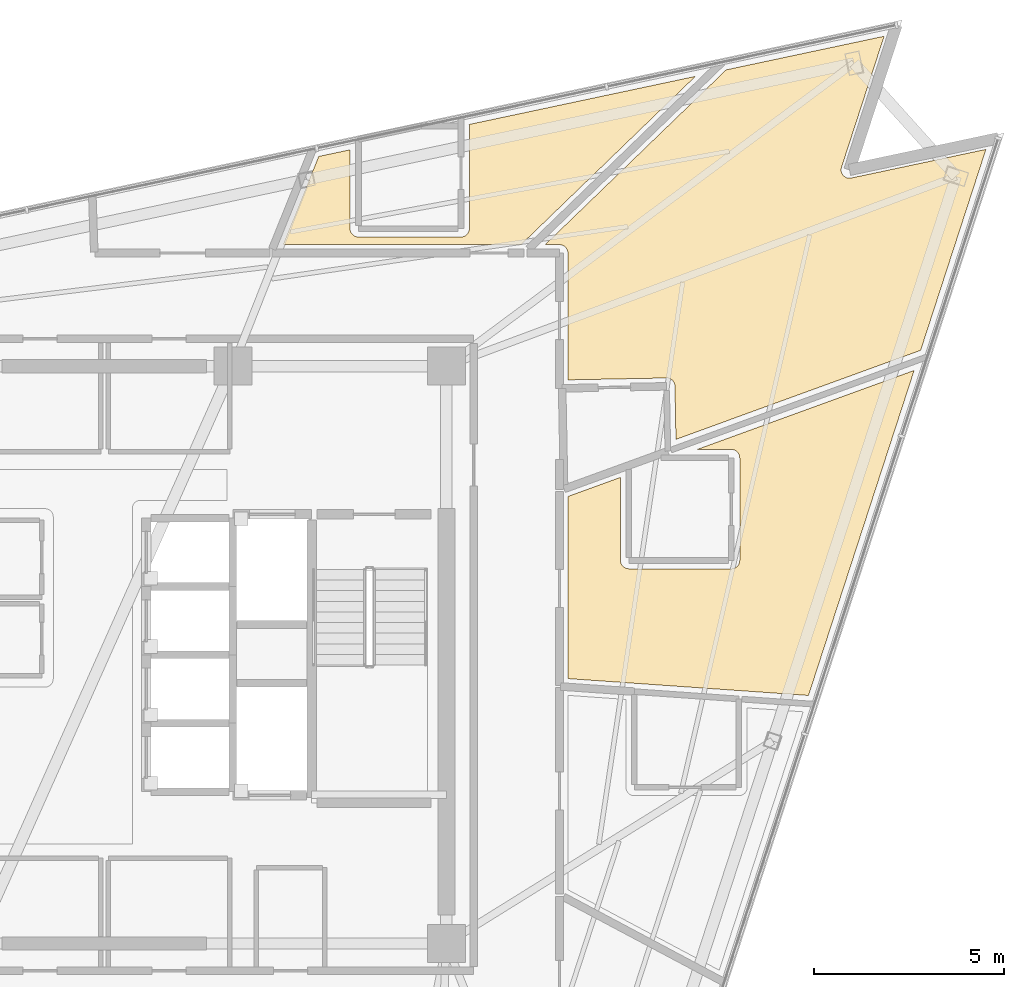
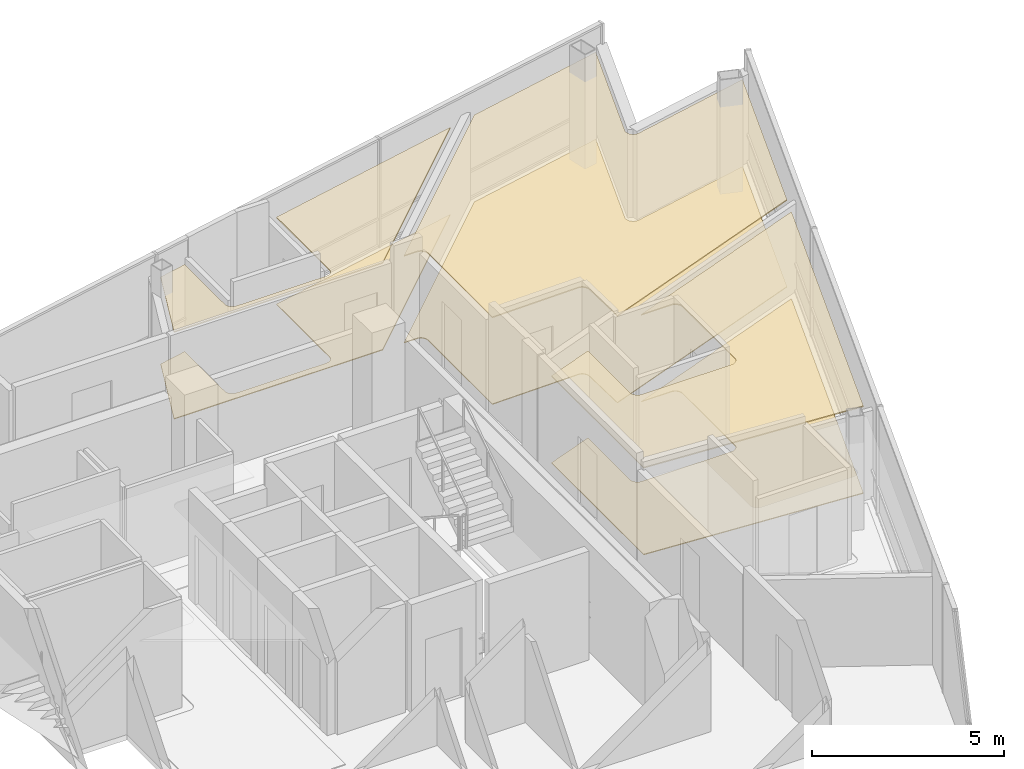
# One storey, part 17 of 17: 6 coverings.
"""IFC4 building model written with IfcOpenShell, lengths in metres."""

from ifc_helpers import new_model, si_unit, direction, frame, origin, place, context, subcontext, project, spatial, polyline, outline, extrude, material, layer, layer_set, type_object, element, save


model = new_model("IFC4")

# Units and contexts
model_context = context("Model", 3, precision=1e-05, world=origin(), true_north=direction((0.0, 1.0)))
body_context = subcontext(model_context, "Body", "Model", "MODEL_VIEW")
ifc_project = project(units=[si_unit("LENGTHUNIT", "METRE"), si_unit("AREAUNIT", "SQUARE_METRE"), si_unit("VOLUMEUNIT", "CUBIC_METRE"), si_unit("PLANEANGLEUNIT", "RADIAN"), si_unit("MASSUNIT", "GRAM", prefix="KILO")], contexts=[model_context])

# Site, building, storey
site_placement = place(None, origin())
site = spatial("IfcSite", under=ifc_project, at=site_placement, CompositionType="ELEMENT")
building_placement = place(site_placement, origin())
building = spatial("IfcBuilding", under=site, at=building_placement, Name="Tharavind Bronze Gate", CompositionType="ELEMENT")
storey_placement = place(building_placement, frame((0.0, 0.0, 294.35009765625)))
storey = spatial("IfcBuildingStorey", under=building, at=storey_placement, Name="L76", CompositionType="ELEMENT", Elevation=294.35009765625)

# Coverings
ifc_material_1 = material(Name="Engineered Oak & Carpet Tile", Category="wood")
ifc_layer_1 = layer(ifc_material_1, 0.02490234375)
ifc_layer_set_1 = layer_set([ifc_layer_1], Name="Engineered Oak & Carpet Tile")
covering_type_1 = type_object("IfcCoveringType", Name="ENGINEERED TIMBER FLOORING", PredefinedType="FLOORING", material=ifc_layer_set_1)
covering_1_placement = place(storey_placement, origin())
element("IfcCovering", 1, at=covering_1_placement, inside=storey, type_object=covering_type_1, Name="L76-RM-01 floor finish", PredefinedType="FLOORING", context=body_context, shape_type="SweptSolid", body=[
    extrude(outline(polyline([(11.87939453125, 10.800048828125), (11.89013671875, 10.7998046875), (11.890869140625, 10.7998046875), (11.912353515625, 10.797607421875), (11.933349609375, 10.79345703125), (11.9541015625, 10.787109375), (11.97412109375, 10.77880859375), (11.9931640625, 10.768798828125), (12.010986328125, 10.756591796875), (12.027587890625, 10.742919921875), (12.04296875, 10.727783203125), (12.056640625, 10.7109375), (12.068603515625, 10.693115234375), (12.078857421875, 10.674072265625), (12.087158203125, 10.654052734375), (12.093505859375, 10.63330078125), (12.09765625, 10.6123046875), (12.099609375, 10.5908203125), (12.099609375, 10.590087890625), (12.10009765625, 10.579345703125), (12.10009765625, 7.239990234375), (14.694091796875, 7.290283203125), (14.715576171875, 7.28955078125), (14.737060546875, 7.286865234375), (14.758056640625, 7.281982421875), (14.778564453125, 7.275146484375), (14.798095703125, 7.266357421875), (14.81689453125, 7.255615234375), (14.834716796875, 7.242919921875), (14.850830078125, 7.228759765625), (14.865478515625, 7.213134765625), (14.87890625, 7.196044921875), (14.890380859375, 7.177734375), (14.89990234375, 7.158447265625), (14.907470703125, 7.13818359375), (14.9130859375, 7.117431640625), (14.916748046875, 7.09619140625), (14.918212890625, 7.074462890625), (14.9453125, 5.673828125), (21.387939453125, 8.018798828125), (23.10693359375, 13.308837890625), (19.559814453125, 12.554931640625), (19.549072265625, 12.552978515625), (19.548583984375, 12.552734375), (19.526611328125, 12.55029296875), (19.5048828125, 12.55029296875), (19.48291015625, 12.55224609375), (19.46142578125, 12.556396484375), (19.4404296875, 12.5625), (19.420166015625, 12.57080078125), (19.400634765625, 12.581298828125), (19.382568359375, 12.593505859375), (19.365478515625, 12.607421875), (19.35009765625, 12.622802734375), (19.336181640625, 12.639892578125), (19.32421875, 12.658203125), (19.31396484375, 12.677490234375), (19.3056640625, 12.697998046875), (19.299560546875, 12.718994140625), (19.29541015625, 12.740478515625), (19.293701171875, 12.762451171875), (19.2939453125, 12.7841796875), (19.29638671875, 12.80615234375), (19.30126953125, 12.827392578125), (19.30126953125, 12.828125), (19.304443359375, 12.838623046875), (20.425048828125, 16.28759765625), (16.267822265625, 15.40380859375), (11.50048828125, 10.800048828125), (11.87939453125, 10.800048828125)])), origin(), (0.0, 0.0, 1.0), 0.02490234375),
])
covering_2_placement = place(storey_placement, origin())
element("IfcCovering", 2, at=covering_2_placement, inside=storey, type_object=covering_type_1, Name="L76-RM-02 floor finish", PredefinedType="FLOORING", context=body_context, shape_type="SweptSolid", body=[
    extrude(outline(polyline([(10.866943359375, 10.800048828125), (15.455810546875, 15.231201171875), (9.5009765625, 13.965576171875), (9.504150390625, 13.944580078125), (9.505126953125, 13.923095703125), (9.505126953125, 11.222900390625), (9.504150390625, 11.201416015625), (9.5009765625, 11.179931640625), (9.49560546875, 11.1591796875), (9.48828125, 11.138916015625), (9.479248046875, 11.119140625), (9.468017578125, 11.1005859375), (9.455078125, 11.08349609375), (9.440673828125, 11.0673828125), (9.4248046875, 11.052978515625), (9.407470703125, 11.0400390625), (9.388916015625, 11.02880859375), (9.369384765625, 11.019775390625), (9.34912109375, 11.012451171875), (9.328125, 11.007080078125), (9.306640625, 11.00390625), (9.28515625, 11.0029296875), (6.585205078125, 11.0029296875), (6.563720703125, 11.00390625), (6.542236328125, 11.007080078125), (6.521240234375, 11.012451171875), (6.5009765625, 11.019775390625), (6.4814453125, 11.02880859375), (6.462890625, 11.0400390625), (6.445556640625, 11.052978515625), (6.4296875, 11.0673828125), (6.4150390625, 11.08349609375), (6.402099609375, 11.1005859375), (6.39111328125, 11.119140625), (6.3818359375, 11.138916015625), (6.37451171875, 11.1591796875), (6.369384765625, 11.179931640625), (6.3662109375, 11.201416015625), (6.365234375, 11.222900390625), (6.365234375, 13.298828125), (5.53955078125, 13.123291015625), (4.600830078125, 10.800048828125), (10.866943359375, 10.800048828125)])), origin(), (0.0, 0.0, 1.0), 0.02490234375),
])
covering_3_placement = place(storey_placement, origin())
element("IfcCovering", 3, at=covering_3_placement, inside=storey, type_object=covering_type_1, Name="L76-RM-13 floor finish", PredefinedType="FLOORING", context=body_context, shape_type="SweptSolid", body=[
    extrude(outline(polyline([(18.435302734375, -1.068603515625), (21.215576171875, 7.48779296875), (15.498291015625, 5.40673828125), (16.40478515625, 5.40673828125), (16.426513671875, 5.40576171875), (16.447998046875, 5.402587890625), (16.46875, 5.3974609375), (16.489013671875, 5.39013671875), (16.5087890625, 5.380859375), (16.527099609375, 5.369873046875), (16.54443359375, 5.35693359375), (16.560546875, 5.34228515625), (16.574951171875, 5.326416015625), (16.587890625, 5.30908203125), (16.59912109375, 5.29052734375), (16.608154296875, 5.27099609375), (16.615478515625, 5.250732421875), (16.62060546875, 5.229736328125), (16.623779296875, 5.20849609375), (16.625, 5.186767578125), (16.625, 2.48681640625), (16.623779296875, 2.46533203125), (16.62060546875, 2.44384765625), (16.615478515625, 2.423095703125), (16.608154296875, 2.402587890625), (16.59912109375, 2.383056640625), (16.587890625, 2.364501953125), (16.574951171875, 2.347412109375), (16.560546875, 2.331298828125), (16.54443359375, 2.31689453125), (16.527099609375, 2.303955078125), (16.5087890625, 2.292724609375), (16.489013671875, 2.28369140625), (16.46875, 2.2763671875), (16.447998046875, 2.27099609375), (16.426513671875, 2.267822265625), (16.40478515625, 2.266845703125), (13.704833984375, 2.266845703125), (13.683349609375, 2.267822265625), (13.662109375, 2.27099609375), (13.64111328125, 2.2763671875), (13.620849609375, 2.28369140625), (13.601318359375, 2.292724609375), (13.582763671875, 2.303955078125), (13.5654296875, 2.31689453125), (13.54931640625, 2.331298828125), (13.534912109375, 2.347412109375), (13.52197265625, 2.364501953125), (13.510986328125, 2.383056640625), (13.501708984375, 2.402587890625), (13.494384765625, 2.423095703125), (13.4892578125, 2.44384765625), (13.486083984375, 2.46533203125), (13.48486328125, 2.48681640625), (13.48486328125, 4.674072265625), (12.10009765625, 4.169921875), (12.10009765625, -0.62548828125), (18.435302734375, -1.068603515625)])), origin(), (0.0, 0.0, 1.0), 0.02490234375),
])
ifc_material_2 = material(Name="Acoustic Gypsum Board", Category="gypsum")
ifc_layer_2 = layer(ifc_material_2, 0.030029296875)
ifc_layer_set_2 = layer_set([ifc_layer_2], Name="Acoustic Gypsum Board")
covering_type_2 = type_object("IfcCoveringType", Name="GYPSUM SUSPENDED CEILING", PredefinedType="CEILING", material=ifc_layer_set_2)
covering_4_placement = place(storey_placement, frame((0.0, 0.0, 2.75)))
element("IfcCovering", 4, at=covering_4_placement, inside=storey, type_object=covering_type_2, Name="L76-RM-01 suspended ceiling", PredefinedType="CEILING", context=body_context, shape_type="SweptSolid", body=[
    extrude(outline(polyline([(11.87939453125, 10.800048828125), (11.89013671875, 10.7998046875), (11.890869140625, 10.7998046875), (11.912353515625, 10.797607421875), (11.933349609375, 10.79345703125), (11.9541015625, 10.787109375), (11.97412109375, 10.77880859375), (11.9931640625, 10.768798828125), (12.010986328125, 10.756591796875), (12.027587890625, 10.742919921875), (12.04296875, 10.727783203125), (12.056640625, 10.7109375), (12.068603515625, 10.693115234375), (12.078857421875, 10.674072265625), (12.087158203125, 10.654052734375), (12.093505859375, 10.63330078125), (12.09765625, 10.6123046875), (12.099609375, 10.5908203125), (12.099609375, 10.590087890625), (12.10009765625, 10.579345703125), (12.10009765625, 7.239990234375), (14.694091796875, 7.290283203125), (14.715576171875, 7.28955078125), (14.737060546875, 7.286865234375), (14.758056640625, 7.281982421875), (14.778564453125, 7.275146484375), (14.798095703125, 7.266357421875), (14.81689453125, 7.255615234375), (14.834716796875, 7.242919921875), (14.850830078125, 7.228759765625), (14.865478515625, 7.213134765625), (14.87890625, 7.196044921875), (14.890380859375, 7.177734375), (14.89990234375, 7.158447265625), (14.907470703125, 7.13818359375), (14.9130859375, 7.117431640625), (14.916748046875, 7.09619140625), (14.918212890625, 7.074462890625), (14.9453125, 5.673828125), (21.387939453125, 8.018798828125), (23.10693359375, 13.308837890625), (19.559814453125, 12.554931640625), (19.549072265625, 12.552978515625), (19.548583984375, 12.552734375), (19.526611328125, 12.55029296875), (19.5048828125, 12.55029296875), (19.48291015625, 12.55224609375), (19.46142578125, 12.556396484375), (19.4404296875, 12.5625), (19.420166015625, 12.57080078125), (19.400634765625, 12.581298828125), (19.382568359375, 12.593505859375), (19.365478515625, 12.607421875), (19.35009765625, 12.622802734375), (19.336181640625, 12.639892578125), (19.32421875, 12.658203125), (19.31396484375, 12.677490234375), (19.3056640625, 12.697998046875), (19.299560546875, 12.718994140625), (19.29541015625, 12.740478515625), (19.293701171875, 12.762451171875), (19.2939453125, 12.7841796875), (19.29638671875, 12.80615234375), (19.30126953125, 12.827392578125), (19.30126953125, 12.828125), (19.304443359375, 12.838623046875), (20.425048828125, 16.28759765625), (16.267822265625, 15.40380859375), (11.50048828125, 10.800048828125), (11.87939453125, 10.800048828125)])), origin(), (0.0, 0.0, 1.0), 0.034912109375),
])
covering_5_placement = place(storey_placement, frame((0.0, 0.0, 2.75)))
element("IfcCovering", 5, at=covering_5_placement, inside=storey, type_object=covering_type_2, Name="L76-RM-02 suspended ceiling", PredefinedType="CEILING", context=body_context, shape_type="SweptSolid", body=[
    extrude(outline(polyline([(10.866943359375, 10.800048828125), (15.455810546875, 15.231201171875), (9.5009765625, 13.965576171875), (9.504150390625, 13.944580078125), (9.505126953125, 13.923095703125), (9.505126953125, 11.222900390625), (9.504150390625, 11.201416015625), (9.5009765625, 11.179931640625), (9.49560546875, 11.1591796875), (9.48828125, 11.138916015625), (9.479248046875, 11.119140625), (9.468017578125, 11.1005859375), (9.455078125, 11.08349609375), (9.440673828125, 11.0673828125), (9.4248046875, 11.052978515625), (9.407470703125, 11.0400390625), (9.388916015625, 11.02880859375), (9.369384765625, 11.019775390625), (9.34912109375, 11.012451171875), (9.328125, 11.007080078125), (9.306640625, 11.00390625), (9.28515625, 11.0029296875), (6.585205078125, 11.0029296875), (6.563720703125, 11.00390625), (6.542236328125, 11.007080078125), (6.521240234375, 11.012451171875), (6.5009765625, 11.019775390625), (6.4814453125, 11.02880859375), (6.462890625, 11.0400390625), (6.445556640625, 11.052978515625), (6.4296875, 11.0673828125), (6.4150390625, 11.08349609375), (6.402099609375, 11.1005859375), (6.39111328125, 11.119140625), (6.3818359375, 11.138916015625), (6.37451171875, 11.1591796875), (6.369384765625, 11.179931640625), (6.3662109375, 11.201416015625), (6.365234375, 11.222900390625), (6.365234375, 13.298828125), (5.53955078125, 13.123291015625), (4.600830078125, 10.800048828125), (10.866943359375, 10.800048828125)])), origin(), (0.0, 0.0, 1.0), 0.034912109375),
])
covering_6_placement = place(storey_placement, frame((0.0, 0.0, 2.75)))
element("IfcCovering", 6, at=covering_6_placement, inside=storey, type_object=covering_type_2, Name="L76-RM-13 suspended ceiling", PredefinedType="CEILING", context=body_context, shape_type="SweptSolid", body=[
    extrude(outline(polyline([(18.435302734375, -1.068603515625), (21.215576171875, 7.48779296875), (15.498291015625, 5.40673828125), (16.40478515625, 5.40673828125), (16.426513671875, 5.40576171875), (16.447998046875, 5.402587890625), (16.46875, 5.3974609375), (16.489013671875, 5.39013671875), (16.5087890625, 5.380859375), (16.527099609375, 5.369873046875), (16.54443359375, 5.35693359375), (16.560546875, 5.34228515625), (16.574951171875, 5.326416015625), (16.587890625, 5.30908203125), (16.59912109375, 5.29052734375), (16.608154296875, 5.27099609375), (16.615478515625, 5.250732421875), (16.62060546875, 5.229736328125), (16.623779296875, 5.20849609375), (16.625, 5.186767578125), (16.625, 2.48681640625), (16.623779296875, 2.46533203125), (16.62060546875, 2.44384765625), (16.615478515625, 2.423095703125), (16.608154296875, 2.402587890625), (16.59912109375, 2.383056640625), (16.587890625, 2.364501953125), (16.574951171875, 2.347412109375), (16.560546875, 2.331298828125), (16.54443359375, 2.31689453125), (16.527099609375, 2.303955078125), (16.5087890625, 2.292724609375), (16.489013671875, 2.28369140625), (16.46875, 2.2763671875), (16.447998046875, 2.27099609375), (16.426513671875, 2.267822265625), (16.40478515625, 2.266845703125), (13.704833984375, 2.266845703125), (13.683349609375, 2.267822265625), (13.662109375, 2.27099609375), (13.64111328125, 2.2763671875), (13.620849609375, 2.28369140625), (13.601318359375, 2.292724609375), (13.582763671875, 2.303955078125), (13.5654296875, 2.31689453125), (13.54931640625, 2.331298828125), (13.534912109375, 2.347412109375), (13.52197265625, 2.364501953125), (13.510986328125, 2.383056640625), (13.501708984375, 2.402587890625), (13.494384765625, 2.423095703125), (13.4892578125, 2.44384765625), (13.486083984375, 2.46533203125), (13.48486328125, 2.48681640625), (13.48486328125, 4.674072265625), (12.10009765625, 4.169921875), (12.10009765625, -0.62548828125), (18.435302734375, -1.068603515625)])), origin(), (0.0, 0.0, 1.0), 0.034912109375),
])

save(model, "model.ifc")
